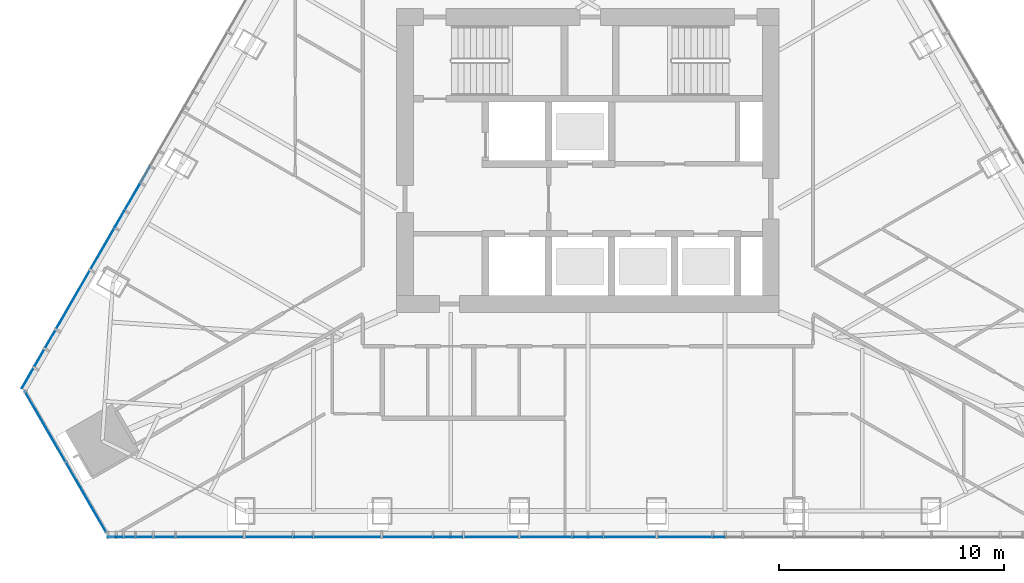
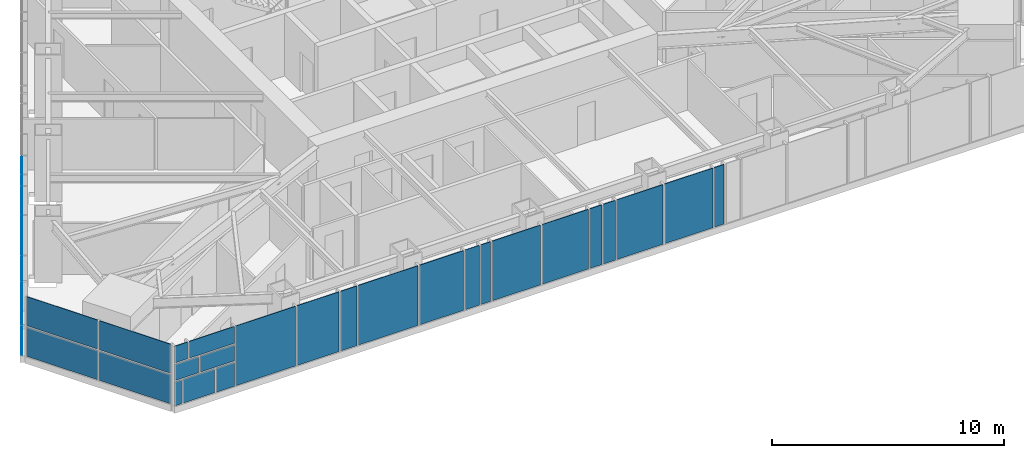
# One storey, part 9 of 18: 34 plates, 3 elements without a shape of their own.
"""IFC4 building model written with IfcOpenShell, lengths in metres."""

from ifc_helpers import new_model, si_unit, direction, frame, origin, place, context, subcontext, project, spatial, polyline, outline, extrude, material, layer, layer_set, type_object, element, aggregate, save


model = new_model("IFC4")

# Units and contexts
model_context = context("Model", 3, precision=1e-05, world=origin(), true_north=direction((0.0, 1.0)))
body_context = subcontext(model_context, "Body", "Model", "MODEL_VIEW")
ifc_project = project(units=[si_unit("LENGTHUNIT", "METRE"), si_unit("AREAUNIT", "SQUARE_METRE"), si_unit("VOLUMEUNIT", "CUBIC_METRE"), si_unit("PLANEANGLEUNIT", "RADIAN"), si_unit("MASSUNIT", "GRAM", prefix="KILO")], contexts=[model_context])

# Site, building, storey
site_placement = place(None, origin())
site = spatial("IfcSite", under=ifc_project, at=site_placement, CompositionType="ELEMENT")
building_placement = place(site_placement, origin())
building = spatial("IfcBuilding", under=site, at=building_placement, Name="Firuza Gate Tower and Library", CompositionType="ELEMENT")
storey_placement = place(building_placement, frame((0.0, 0.0, 298.60009765625)))
storey = spatial("IfcBuildingStorey", under=building, at=storey_placement, Name="L72", CompositionType="ELEMENT", Elevation=298.60009765625)

# Curtain wall, plates
ifc_material_1 = material(Name="Aluminium 6063-T6", Category="aluminium")
ifc_layer_1 = layer(ifc_material_1, 0.14990234375)
ifc_layer_set_1 = layer_set([ifc_layer_1], Name="Corner curtain wall, chamfers")
curtain_wall_type_1 = type_object("IfcCurtainWallType", Name="Corner curtain wall, chamfers", PredefinedType="NOTDEFINED", material=ifc_layer_set_1)
placement = place(storey_placement, origin())
curtain_wall_1 = element("IfcCurtainWall", 1, at=placement, inside=storey, type_object=curtain_wall_type_1, Name="CW4 L72 SW corner", PredefinedType="NOTDEFINED")
ifc_material_2 = material(Name="Fritted glass", Category="glass")
ifc_layer_2 = layer(ifc_material_2, 0.030029296875)
ifc_layer_set_2 = layer_set([ifc_layer_2], Name="Fritted glass unit, corners")
plate_type_1 = type_object("IfcPlateType", Name="Fritted glass unit, corners", PredefinedType="CURTAIN_PANEL", material=ifc_layer_set_2)
plate_1_placement = place(storey_placement, frame((49.984375, 64.718017578125, 0.14990234375), z_axis=(-0.866016723041, -0.500015035186, 0.0), x_axis=(0.500015035186, -0.866016723041, 0.0)))
plate_1 = element("IfcPlate", 2, at=plate_1_placement, type_object=plate_type_1, Name="Glass unit", PredefinedType="CURTAIN_PANEL", context=body_context, shape_type="SweptSolid", body=[
    extrude(outline(polyline([(0.0, 0.0), (3.5633694106530625, 0.0), (3.5633694106530625, 1.5349121093749998), (0.0, 1.5349121093749998), (0.0, 0.0)])), origin(), (0.0, 0.0, -1.0), 0.030029296875),
])
plate_2_placement = place(storey_placement, frame((51.80615234375, 61.562744140625, 0.14990234375), z_axis=(-0.866046390552, -0.49996364809, 0.0), x_axis=(0.49996364809, -0.866046390552, 0.0)))
plate_2 = element("IfcPlate", 3, at=plate_2_placement, type_object=plate_type_1, Name="Glass unit", PredefinedType="CURTAIN_PANEL", context=body_context, shape_type="SweptSolid", body=[
    extrude(outline(polyline([(0.0, 0.0), (3.563247342942594, 0.0), (3.563247342942594, 1.534912109375), (0.0, 1.534912109375), (0.0, 0.0)])), origin(), (0.0, 0.0, -1.0), 0.030029296875),
])

ifc_material_3 = material(Name="Aluminium 6063-T6", Category="aluminium")
ifc_layer_3 = layer(ifc_material_3, 0.14990234375)
ifc_layer_set_3 = layer_set([ifc_layer_3], Name="Unitised curtain wall, residences")
curtain_wall_type_2 = type_object("IfcCurtainWallType", Name="Unitised curtain wall, residences", PredefinedType="NOTDEFINED", material=ifc_layer_set_3)
curtain_wall_2 = element("IfcCurtainWall", 4, at=placement, inside=storey, type_object=curtain_wall_type_2, Name="CW3 L72 S face", PredefinedType="NOTDEFINED")
ifc_material_4 = material(Name="Fritted glass", Category="glass")
ifc_layer_4 = layer(ifc_material_4, 0.030029296875)
ifc_layer_set_4 = layer_set([ifc_layer_4], Name="Fritted glass unit, residences")
plate_type_2 = type_object("IfcPlateType", Name="Fritted glass unit, residences", PredefinedType="CURTAIN_PANEL", material=ifc_layer_set_4)
plate_3_placement = place(storey_placement, frame((53.66064453125, 58.2646484375, 0.14990234375), z_axis=(0.0, -1.0, 0.0), x_axis=(1.0, 0.0, 0.0)))
plate_3 = element("IfcPlate", 5, at=plate_3_placement, type_object=plate_type_2, Name="Glass unit", PredefinedType="CURTAIN_PANEL", context=body_context, shape_type="SweptSolid", body=[
    extrude(outline(polyline([(0.0, 0.0), (0.337646484375, 0.0), (0.337646484375, 1.260009765625), (0.0, 1.260009765625), (0.0, 0.0)])), origin(), (0.0, 0.0, -1.0), 0.030029296875),
])
plate_4_placement = place(storey_placement, frame((55.727294921875, 58.2646484375, 0.14990234375), z_axis=(0.0, -1.0, 0.0), x_axis=(1.0, 0.0, 0.0)))
plate_4 = element("IfcPlate", 6, at=plate_4_placement, type_object=plate_type_2, Name="Glass unit", PredefinedType="CURTAIN_PANEL", context=body_context, shape_type="SweptSolid", body=[
    extrude(outline(polyline([(0.0, 0.0), (0.907470703125, 0.0), (0.907470703125, 1.260009765625), (0.0, 1.260009765625), (0.0, 0.0)])), origin(), (0.0, 0.0, -1.0), 0.030029296875),
])
plate_5_placement = place(storey_placement, frame((54.934326171875, 58.2646484375, 1.489990234375), z_axis=(0.0, -1.0, 0.0), x_axis=(1.0, 0.0, 0.0)))
plate_5 = element("IfcPlate", 7, at=plate_5_placement, type_object=plate_type_2, Name="Glass unit", PredefinedType="CURTAIN_PANEL", context=body_context, shape_type="SweptSolid", body=[
    extrude(outline(polyline([(0.0, 0.0), (1.700439453125, 0.0), (1.700439453125, 0.844970703125), (0.0, 0.844970703125), (0.0, 0.0)])), origin(), (0.0, 0.0, -1.0), 0.030029296875),
])
plate_6_placement = place(storey_placement, frame((54.386962890625, 58.2646484375, 2.414794921875), z_axis=(0.0, -1.0, 0.0), x_axis=(1.0, 0.0, 0.0)))
plate_6 = element("IfcPlate", 8, at=plate_6_placement, type_object=plate_type_2, Name="Glass unit", PredefinedType="CURTAIN_PANEL", context=body_context, shape_type="SweptSolid", body=[
    extrude(outline(polyline([(0.0, 0.0), (2.247802734375, 0.0), (2.247802734375, 0.885009765625), (0.0, 0.885009765625), (0.0, 0.0)])), origin(), (0.0, 0.0, -1.0), 0.030029296875),
])
plate_7_placement = place(storey_placement, frame((61.940673828125, 58.2646484375, 0.14990234375), z_axis=(0.0, -1.0, 0.0), x_axis=(1.0, 0.0, 0.0)))
plate_7 = element("IfcPlate", 9, at=plate_7_placement, type_object=plate_type_2, Name="Glass unit", PredefinedType="CURTAIN_PANEL", context=body_context, shape_type="SweptSolid", body=[
    extrude(outline(polyline([(0.0, 0.0), (0.802490234375, 0.0), (0.802490234375, 3.14990234375), (0.0, 3.14990234375), (0.0, 0.0)])), origin(), (0.0, 0.0, -1.0), 0.030029296875),
])
plate_8_placement = place(storey_placement, frame((68.154052734375, 58.2646484375, 0.14990234375), z_axis=(0.0, -1.0, 0.0), x_axis=(1.0, 0.0, 0.0)))
plate_8 = element("IfcPlate", 10, at=plate_8_placement, type_object=plate_type_2, Name="Glass unit", PredefinedType="CURTAIN_PANEL", context=body_context, shape_type="SweptSolid", body=[
    extrude(outline(polyline([(0.0, 0.0), (0.697509765625, 0.0), (0.697509765625, 3.14990234375), (0.0, 3.14990234375), (0.0, 0.0)])), origin(), (0.0, 0.0, -1.0), 0.030029296875),
])
plate_9_placement = place(storey_placement, frame((68.931640625, 58.2646484375, 0.14990234375), z_axis=(0.0, -1.0, 0.0), x_axis=(1.0, 0.0, 0.0)))
plate_9 = element("IfcPlate", 11, at=plate_9_placement, type_object=plate_type_2, Name="Glass unit", PredefinedType="CURTAIN_PANEL", context=body_context, shape_type="SweptSolid", body=[
    extrude(outline(polyline([(0.0, 0.0), (0.487548828125, 0.0), (0.487548828125, 3.14990234375), (0.0, 3.14990234375), (0.0, 0.0)])), origin(), (0.0, 0.0, -1.0), 0.030029296875),
])
plate_10_placement = place(storey_placement, frame((74.367431640625, 58.2646484375, 0.14990234375), z_axis=(0.0, -1.0, 0.0), x_axis=(1.0, 0.0, 0.0)))
plate_10 = element("IfcPlate", 12, at=plate_10_placement, type_object=plate_type_2, Name="Glass unit", PredefinedType="CURTAIN_PANEL", context=body_context, shape_type="SweptSolid", body=[
    extrude(outline(polyline([(0.0, 0.0), (0.592529296875, 0.0), (0.592529296875, 3.14990234375), (0.0, 3.14990234375), (0.0, 0.0)])), origin(), (0.0, 0.0, -1.0), 0.030029296875),
])
plate_11_placement = place(storey_placement, frame((75.0400390625, 58.2646484375, 0.14990234375), z_axis=(0.0, -1.0, 0.0), x_axis=(1.0, 0.0, 0.0)))
plate_11 = element("IfcPlate", 13, at=plate_11_placement, type_object=plate_type_2, Name="Glass unit", PredefinedType="CURTAIN_PANEL", context=body_context, shape_type="SweptSolid", body=[
    extrude(outline(polyline([(0.0, 0.0), (0.592529296875, 0.0), (0.592529296875, 3.14990234375), (0.0, 3.14990234375), (0.0, 0.0)])), origin(), (0.0, 0.0, -1.0), 0.030029296875),
])
plate_12_placement = place(storey_placement, frame((80.580810546875, 58.2646484375, 0.14990234375), z_axis=(0.0, -1.0, 0.0), x_axis=(1.0, 0.0, 0.0)))
plate_12 = element("IfcPlate", 14, at=plate_12_placement, type_object=plate_type_2, Name="Glass unit", PredefinedType="CURTAIN_PANEL", context=body_context, shape_type="SweptSolid", body=[
    extrude(outline(polyline([(0.0, 0.0), (0.487548828125, 0.0), (0.487548828125, 3.14990234375), (0.0, 3.14990234375), (0.0, 0.0)])), origin(), (0.0, 0.0, -1.0), 0.030029296875),
])

curtain_wall_3 = element("IfcCurtainWall", 15, at=placement, inside=storey, type_object=curtain_wall_type_2, Name="CW3 L72 W face", PredefinedType="NOTDEFINED")
plate_13_placement = place(storey_placement, frame((55.087646484375, 73.9814453125, 1.764892578125), z_axis=(-0.866045865693, 0.499964557259, 0.0), x_axis=(-0.499964557259, -0.866045865693, 0.0)))
plate_13 = element("IfcPlate", 16, at=plate_13_placement, type_object=plate_type_2, Name="Glass unit", PredefinedType="CURTAIN_PANEL", context=body_context, shape_type="SweptSolid", body=[
    extrude(outline(polyline([(0.0, 0.0), (1.3384737846092967, 0.0), (1.3384737846092967, 1.534912109375), (0.0, 1.534912109375), (0.0, 0.0)])), origin(), (0.0, 0.0, -1.0), 0.030029296875),
])
plate_14_placement = place(storey_placement, frame((54.37841796875, 72.7529296875, 0.14990234375), z_axis=(-0.866119736943, 0.499836574569, 0.0), x_axis=(-0.499836574569, -0.866119736943, 0.0)))
plate_14 = element("IfcPlate", 17, at=plate_14_placement, type_object=plate_type_2, Name="Glass unit", PredefinedType="CURTAIN_PANEL", context=body_context, shape_type="SweptSolid", body=[
    extrude(outline(polyline([(0.0, 0.0), (0.802508394310326, 0.0), (0.802508394310326, 3.14990234375), (0.0, 3.14990234375), (0.0, 0.0)])), origin(), (0.0, 0.0, -1.0), 0.030029296875),
])
plate_15_placement = place(storey_placement, frame((51.32421875, 67.462890625, 0.14990234375), z_axis=(-0.866082545016, 0.499901015421, 0.0), x_axis=(-0.499901015421, -0.866082545016, 0.0)))
plate_15 = element("IfcPlate", 18, at=plate_15_placement, type_object=plate_type_2, Name="Glass unit", PredefinedType="CURTAIN_PANEL", context=body_context, shape_type="SweptSolid", body=[
    extrude(outline(polyline([(0.0, 0.0), (0.9074062009419173, 0.0), (0.9074062009419173, 1.534912109375), (0.0, 1.534912109375), (0.0, 0.0)])), origin(), (0.0, 0.0, -1.0), 0.030029296875),
])
plate_16_placement = place(storey_placement, frame((51.32421875, 67.462890625, 1.764892578125), z_axis=(-0.866008831286, 0.500028703312, 0.0), x_axis=(-0.500028703312, -0.866008831286, 0.0)))
plate_16 = element("IfcPlate", 19, at=plate_16_placement, type_object=plate_type_2, Name="Glass unit", PredefinedType="CURTAIN_PANEL", context=body_context, shape_type="SweptSolid", body=[
    extrude(outline(polyline([(0.0, 0.0), (1.863174291455834, 0.0), (1.863174291455834, 1.534912109375), (0.0, 1.534912109375), (0.0, 0.0)])), origin(), (0.0, 0.0, -1.0), 0.030029296875),
])

# Plate
ifc_material_5 = material(Name="Glazed ceramic tile")
ifc_layer_5 = layer(ifc_material_5, 0.030029296875)
ifc_layer_set_5 = layer_set([ifc_layer_5], Name="Opaque ceramic panel, corners")
plate_type_3 = type_object("IfcPlateType", Name="Opaque ceramic panel, corners", PredefinedType="CURTAIN_PANEL", material=ifc_layer_set_5)
plate_17_placement = place(storey_placement, frame((49.984375, 64.718017578125, 1.764892578125), z_axis=(-0.866016723041, -0.500015035186, 0.0), x_axis=(0.500015035186, -0.866016723041, 0.0)))
plate_17 = element("IfcPlate", 20, at=plate_17_placement, type_object=plate_type_3, Name="Opaque ceramic panel", PredefinedType="CURTAIN_PANEL", context=body_context, shape_type="SweptSolid", body=[
    extrude(outline(polyline([(0.0, 0.0), (3.5633694106530625, 0.0), (3.5633694106530625, 1.5349121093749998), (0.0, 1.5349121093749998), (0.0, 0.0)])), origin(), (0.0, 0.0, -1.0), 0.030029296875),
])

plate_18_placement = place(storey_placement, frame((51.80615234375, 61.562744140625, 1.764892578125), z_axis=(-0.866046390552, -0.49996364809, 0.0), x_axis=(0.49996364809, -0.866046390552, 0.0)))
plate_18 = element("IfcPlate", 21, at=plate_18_placement, type_object=plate_type_3, Name="Opaque ceramic panel", PredefinedType="CURTAIN_PANEL", context=body_context, shape_type="SweptSolid", body=[
    extrude(outline(polyline([(0.0, 0.0), (3.563247342942594, 0.0), (3.563247342942594, 1.534912109375), (0.0, 1.534912109375), (0.0, 0.0)])), origin(), (0.0, 0.0, -1.0), 0.030029296875),
])

aggregate(curtain_wall_1, [plate_1, plate_17, plate_2, plate_18])

ifc_material_6 = material(Name="Glazed ceramic tile")
ifc_layer_6 = layer(ifc_material_6, 0.030029296875)
ifc_layer_set_6 = layer_set([ifc_layer_6], Name="Opaque ceramic panel, residences")
plate_type_4 = type_object("IfcPlateType", Name="Opaque ceramic panel, residences", PredefinedType="CURTAIN_PANEL", material=ifc_layer_set_6)
plate_19_placement = place(storey_placement, frame((54.078369140625, 58.2646484375, 0.14990234375), z_axis=(0.0, -1.0, 0.0), x_axis=(1.0, 0.0, 0.0)))
plate_19 = element("IfcPlate", 22, at=plate_19_placement, type_object=plate_type_4, Name="Opaque ceramic panel", PredefinedType="CURTAIN_PANEL", context=body_context, shape_type="SweptSolid", body=[
    extrude(outline(polyline([(0.0, 0.0), (1.569091796875, 0.0), (1.569091796875, 1.260009765625), (0.0, 1.260009765625), (0.0, 0.0)])), origin(), (0.0, 0.0, -1.0), 0.030029296875),
])

plate_20_placement = place(storey_placement, frame((53.66064453125, 58.2646484375, 1.489990234375), z_axis=(0.0, -1.0, 0.0), x_axis=(1.0, 0.0, 0.0)))
plate_20 = element("IfcPlate", 23, at=plate_20_placement, type_object=plate_type_4, Name="Opaque ceramic panel", PredefinedType="CURTAIN_PANEL", context=body_context, shape_type="SweptSolid", body=[
    extrude(outline(polyline([(0.0, 0.0), (1.19384765625, 0.0), (1.19384765625, 0.844970703125), (0.0, 0.844970703125), (0.0, 0.0)])), origin(), (0.0, 0.0, -1.0), 0.030029296875),
])

plate_21_placement = place(storey_placement, frame((53.66064453125, 58.2646484375, 2.414794921875), z_axis=(0.0, -1.0, 0.0), x_axis=(1.0, 0.0, 0.0)))
plate_21 = element("IfcPlate", 24, at=plate_21_placement, type_object=plate_type_4, Name="Opaque ceramic panel", PredefinedType="CURTAIN_PANEL", context=body_context, shape_type="SweptSolid", body=[
    extrude(outline(polyline([(0.0, 0.0), (0.646484375, 0.0), (0.646484375, 0.885009765625), (0.0, 0.885009765625), (0.0, 0.0)])), origin(), (0.0, 0.0, -1.0), 0.030029296875),
])

plate_22_placement = place(storey_placement, frame((56.71484375, 58.2646484375, 0.14990234375), z_axis=(0.0, -1.0, 0.0), x_axis=(1.0, 0.0, 0.0)))
plate_22 = element("IfcPlate", 25, at=plate_22_placement, type_object=plate_type_4, Name="Opaque ceramic panel", PredefinedType="CURTAIN_PANEL", context=body_context, shape_type="SweptSolid", body=[
    extrude(outline(polyline([(0.0, 0.0), (2.97412109375, 0.0), (2.97412109375, 3.14990234375), (0.0, 3.14990234375), (0.0, 0.0)])), origin(), (0.0, 0.0, -1.0), 0.030029296875),
])

plate_23_placement = place(storey_placement, frame((59.76904296875, 58.2646484375, 0.14990234375), z_axis=(0.0, -1.0, 0.0), x_axis=(1.0, 0.0, 0.0)))
plate_23 = element("IfcPlate", 26, at=plate_23_placement, type_object=plate_type_4, Name="Opaque ceramic panel", PredefinedType="CURTAIN_PANEL", context=body_context, shape_type="SweptSolid", body=[
    extrude(outline(polyline([(0.0, 0.0), (2.091552734375, 0.0), (2.091552734375, 3.14990234375), (0.0, 3.14990234375), (0.0, 0.0)])), origin(), (0.0, 0.0, -1.0), 0.030029296875),
])

plate_24_placement = place(storey_placement, frame((62.8232421875, 58.2646484375, 0.14990234375), z_axis=(0.0, -1.0, 0.0), x_axis=(1.0, 0.0, 0.0)))
plate_24 = element("IfcPlate", 27, at=plate_24_placement, type_object=plate_type_4, Name="Opaque ceramic panel", PredefinedType="CURTAIN_PANEL", context=body_context, shape_type="SweptSolid", body=[
    extrude(outline(polyline([(0.0, 0.0), (2.97412109375, 0.0), (2.97412109375, 3.14990234375), (0.0, 3.14990234375), (0.0, 0.0)])), origin(), (0.0, 0.0, -1.0), 0.030029296875),
])

plate_25_placement = place(storey_placement, frame((65.87744140625, 58.2646484375, 0.14990234375), z_axis=(0.0, -1.0, 0.0), x_axis=(1.0, 0.0, 0.0)))
plate_25 = element("IfcPlate", 28, at=plate_25_placement, type_object=plate_type_4, Name="Opaque ceramic panel", PredefinedType="CURTAIN_PANEL", context=body_context, shape_type="SweptSolid", body=[
    extrude(outline(polyline([(0.0, 0.0), (2.196533203125, 0.0), (2.196533203125, 3.14990234375), (0.0, 3.14990234375), (0.0, 0.0)])), origin(), (0.0, 0.0, -1.0), 0.030029296875),
])

plate_26_placement = place(storey_placement, frame((69.499267578125, 58.2646484375, 0.14990234375), z_axis=(0.0, -1.0, 0.0), x_axis=(1.0, 0.0, 0.0)))
plate_26 = element("IfcPlate", 29, at=plate_26_placement, type_object=plate_type_4, Name="Opaque ceramic panel", PredefinedType="CURTAIN_PANEL", context=body_context, shape_type="SweptSolid", body=[
    extrude(outline(polyline([(0.0, 0.0), (2.406494140625, 0.0), (2.406494140625, 3.14990234375), (0.0, 3.14990234375), (0.0, 0.0)])), origin(), (0.0, 0.0, -1.0), 0.030029296875),
])

plate_27_placement = place(storey_placement, frame((71.98583984375, 58.2646484375, 0.14990234375), z_axis=(0.0, -1.0, 0.0), x_axis=(1.0, 0.0, 0.0)))
plate_27 = element("IfcPlate", 30, at=plate_27_placement, type_object=plate_type_4, Name="Opaque ceramic panel", PredefinedType="CURTAIN_PANEL", context=body_context, shape_type="SweptSolid", body=[
    extrude(outline(polyline([(0.0, 0.0), (2.301513671875, 0.0), (2.301513671875, 3.14990234375), (0.0, 3.14990234375), (0.0, 0.0)])), origin(), (0.0, 0.0, -1.0), 0.030029296875),
])

plate_28_placement = place(storey_placement, frame((75.712646484375, 58.2646484375, 0.14990234375), z_axis=(0.0, -1.0, 0.0), x_axis=(1.0, 0.0, 0.0)))
plate_28 = element("IfcPlate", 31, at=plate_28_placement, type_object=plate_type_4, Name="Opaque ceramic panel", PredefinedType="CURTAIN_PANEL", context=body_context, shape_type="SweptSolid", body=[
    extrude(outline(polyline([(0.0, 0.0), (2.301513671875, 0.0), (2.301513671875, 3.14990234375), (0.0, 3.14990234375), (0.0, 0.0)])), origin(), (0.0, 0.0, -1.0), 0.030029296875),
])

plate_29_placement = place(storey_placement, frame((78.09423828125, 58.2646484375, 0.14990234375), z_axis=(0.0, -1.0, 0.0), x_axis=(1.0, 0.0, 0.0)))
plate_29 = element("IfcPlate", 32, at=plate_29_placement, type_object=plate_type_4, Name="Opaque ceramic panel", PredefinedType="CURTAIN_PANEL", context=body_context, shape_type="SweptSolid", body=[
    extrude(outline(polyline([(0.0, 0.0), (2.406494140625, 0.0), (2.406494140625, 3.14990234375), (0.0, 3.14990234375), (0.0, 0.0)])), origin(), (0.0, 0.0, -1.0), 0.030029296875),
])

aggregate(curtain_wall_2, [plate_3, plate_19, plate_4, plate_20, plate_5, plate_21, plate_6, plate_22, plate_23, plate_7, plate_24, plate_25, plate_8, plate_9, plate_26, plate_27, plate_10, plate_11, plate_28, plate_29, plate_12])

plate_30_placement = place(storey_placement, frame((55.515625, 74.72265625, 0.14990234375), z_axis=(-0.866029956157, 0.499992114976, 0.0), x_axis=(-0.499992114976, -0.866029956157, 0.0)))
plate_30 = element("IfcPlate", 33, at=plate_30_placement, type_object=plate_type_4, Name="Opaque ceramic panel", PredefinedType="CURTAIN_PANEL", context=body_context, shape_type="SweptSolid", body=[
    extrude(outline(polyline([(0.0, 0.0), (2.194370542829741, 0.0), (2.194370542829741, 1.534912109375), (0.0, 1.534912109375), (0.0, 0.0)])), origin(), (0.0, 0.0, -1.0), 0.030029296875),
])

plate_31_placement = place(storey_placement, frame((53.937255859375, 71.98876953125, 0.14990234375), z_axis=(-0.866022320763, 0.500005339912, 0.0), x_axis=(-0.500005339912, -0.866022320763, 0.0)))
plate_31 = element("IfcPlate", 34, at=plate_31_placement, type_object=plate_type_4, Name="Opaque ceramic panel", PredefinedType="CURTAIN_PANEL", context=body_context, shape_type="SweptSolid", body=[
    extrude(outline(polyline([(0.0, 0.0), (2.0917745352156762, 0.0), (2.0917745352156762, 3.14990234375), (0.0, 3.14990234375), (0.0, 0.0)])), origin(), (0.0, 0.0, -1.0), 0.030029296875),
])

plate_32_placement = place(storey_placement, frame((52.851318359375, 70.10791015625, 0.14990234375), z_axis=(-0.866027015393, 0.499997208602, 0.0), x_axis=(-0.499997208602, -0.866027015393, 0.0)))
plate_32 = element("IfcPlate", 35, at=plate_32_placement, type_object=plate_type_4, Name="Opaque ceramic panel", PredefinedType="CURTAIN_PANEL", context=body_context, shape_type="SweptSolid", body=[
    extrude(outline(polyline([(0.0, 0.0), (2.9741376977512473, 0.0), (2.9741376977512473, 3.14990234375), (0.0, 3.14990234375), (0.0, 0.0)])), origin(), (0.0, 0.0, -1.0), 0.030029296875),
])

plate_33_placement = place(storey_placement, frame((50.83056640625, 66.607666015625, 0.14990234375), z_axis=(-0.866003444533, 0.50003803261, 0.0), x_axis=(-0.50003803261, -0.866003444533, 0.0)))
plate_33 = element("IfcPlate", 36, at=plate_33_placement, type_object=plate_type_4, Name="Opaque ceramic panel", PredefinedType="CURTAIN_PANEL", context=body_context, shape_type="SweptSolid", body=[
    extrude(outline(polyline([(0.0, 0.0), (1.9866652901162536, 0.0), (1.9866652901162536, 1.534912109375), (0.0, 1.534912109375), (0.0, 0.0)])), origin(), (0.0, 0.0, -1.0), 0.030029296875),
])

plate_34_placement = place(storey_placement, frame((50.352783203125, 65.780029296875, 1.764892578125), z_axis=(-0.865960792519, 0.5001118933, 0.0), x_axis=(-0.5001118933, -0.865960792519, 0.0)))
plate_34 = element("IfcPlate", 37, at=plate_34_placement, type_object=plate_type_4, Name="Opaque ceramic panel", PredefinedType="CURTAIN_PANEL", context=body_context, shape_type="SweptSolid", body=[
    extrude(outline(polyline([(0.0, 0.0), (1.0310192717019202, 0.0), (1.0310192717019202, 1.534912109375), (0.0, 1.534912109375), (0.0, 0.0)])), origin(), (0.0, 0.0, -1.0), 0.030029296875),
])

aggregate(curtain_wall_3, [plate_30, plate_13, plate_14, plate_31, plate_32, plate_15, plate_33, plate_16, plate_34])

save(model, "model.ifc")
